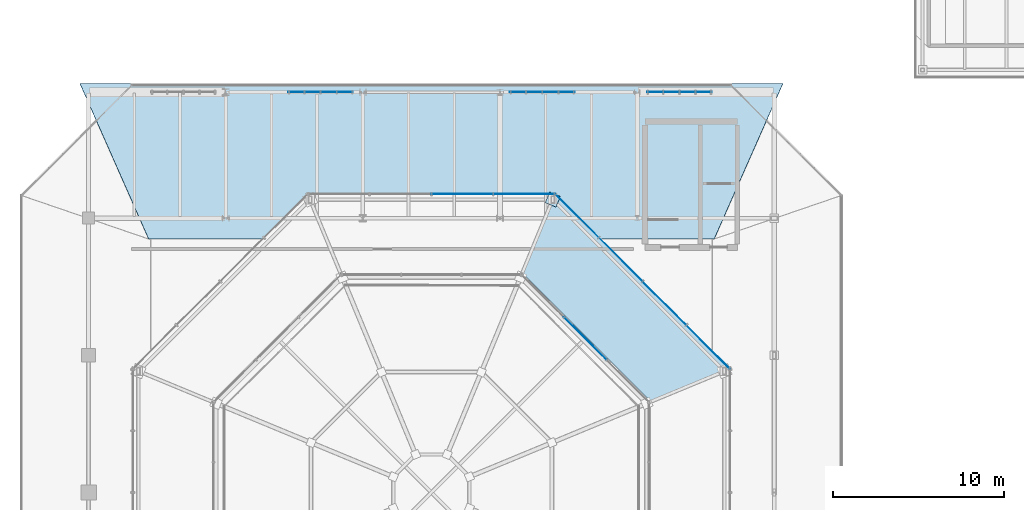
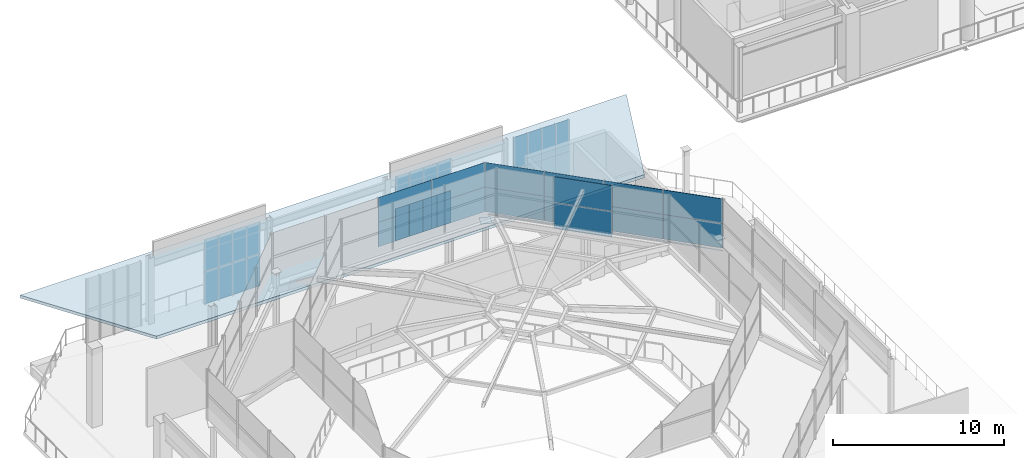
# One storey, part 22 of 30: 40 plates, 1 slab, 6 elements without a shape of their own.
"""IFC4 building model written with IfcOpenShell, lengths in metres."""

from ifc_helpers import new_model, si_unit, direction, frame, origin, origin_2d, place, context, subcontext, project, spatial, polyline, rectangle, outline, extrude, material, layer, layer_set, type_object, element, aggregate, save


model = new_model("IFC4")

# Units and contexts
model_context = context("Model", 3, precision=1e-05, world=origin(), true_north=direction((0.0, 1.0)))
body_context = subcontext(model_context, "Body", "Model", "MODEL_VIEW")
ifc_project = project(units=[si_unit("LENGTHUNIT", "METRE"), si_unit("AREAUNIT", "SQUARE_METRE"), si_unit("VOLUMEUNIT", "CUBIC_METRE"), si_unit("PLANEANGLEUNIT", "RADIAN"), si_unit("MASSUNIT", "GRAM", prefix="KILO")], contexts=[model_context])

# Site, building, storey
site_placement = place(None, origin())
site = spatial("IfcSite", under=ifc_project, at=site_placement, CompositionType="ELEMENT")
building_placement = place(site_placement, origin())
building = spatial("IfcBuilding", under=site, at=building_placement, Name="Brisemont Oceanarium", CompositionType="ELEMENT")
storey_placement = place(building_placement, frame((0.0, 0.0, 19.800048828125)))
storey = spatial("IfcBuildingStorey", under=building, at=storey_placement, Name="L04", CompositionType="ELEMENT", Elevation=19.800048828125)

# Curtain wall, plates
ifc_material_1 = material(Name="Anodized Extruded Aluminum 6063-T6", Category="aluminium")
curtain_wall_type_1 = type_object("IfcCurtainWallType", Name="CW-CLR-48X34", PredefinedType="NOTDEFINED", material=ifc_material_1)
curtain_wall_1_placement = place(storey_placement, origin())
curtain_wall_1 = element("IfcCurtainWall", 1, at=curtain_wall_1_placement, inside=storey, type_object=curtain_wall_type_1, Name="CW-22 curtain wall CW-DOME-UP-1", PredefinedType="NOTDEFINED")
ifc_material_2 = material(Name="Ceramic-Fritted Spandrel Glass", Category="glass")
ifc_layer_1 = layer(ifc_material_2, 0.030029296875)
ifc_layer_set_1 = layer_set([ifc_layer_1], Name="Ceramic-Fritted Spandrel Glass")
plate_type_1 = type_object("IfcPlateType", Name="PLT-CWP-S4", PredefinedType="CURTAIN_PANEL", material=ifc_layer_set_1)
plate_1_placement = place(storey_placement, frame((92.982666015625, 64.982666015625, 7.75146484375), z_axis=(0.0, 0.0, 1.0), x_axis=(-0.707106781187, 0.707106781187, 0.0)))
plate_1 = element("IfcPlate", 2, at=plate_1_placement, type_object=plate_type_1, Name="CW-DOME-UP-1 panel 2.1", PredefinedType="CURTAIN_PANEL", context=body_context, shape_type="SweptSolid", body=[
    extrude(rectangle(XDim=3.5048828125, YDim=0.030029296875, at=origin_2d()), origin(), (0.0, 0.0, 1.0), 1.846923828125),
])
plate_2_placement = place(storey_placement, frame((92.982666015625, 64.982666015625, 9.6015625), z_axis=(0.0, 0.0, 1.0), x_axis=(-0.707106781187, 0.707106781187, 0.0)))
plate_2 = element("IfcPlate", 3, at=plate_2_placement, type_object=plate_type_1, Name="CW-DOME-UP-1 panel 2.2", PredefinedType="CURTAIN_PANEL", context=body_context, shape_type="SweptSolid", body=[
    extrude(rectangle(XDim=3.5048828125, YDim=0.030029296875, at=origin_2d()), origin(), (0.0, 0.0, 1.0), 1.846923828125),
])
aggregate(curtain_wall_1, [plate_1, plate_2])

ifc_material_3 = material(Name="Anodized Extruded Aluminum 6063-T6", Category="aluminium")
curtain_wall_type_2 = type_object("IfcCurtainWallType", Name="CW-ROT-69X44", PredefinedType="NOTDEFINED", material=ifc_material_3)
curtain_wall_2_placement = place(storey_placement, origin())
curtain_wall_2 = element("IfcCurtainWall", 4, at=curtain_wall_2_placement, inside=storey, type_object=curtain_wall_type_2, Name="CW-03 curtain wall CW-V1-N-L04-02", PredefinedType="NOTDEFINED")
ifc_material_4 = material(Name="Insulated Low-E Laminated Glass", Category="glass")
ifc_layer_2 = layer(ifc_material_4, 0.028076171875)
ifc_layer_set_2 = layer_set([ifc_layer_2], Name="Insulated Low-E Laminated Glass")
plate_type_2 = type_object("IfcPlateType", Name="PLT-CWP-V3", PredefinedType="CURTAIN_PANEL", material=ifc_layer_set_2)
plate_3_placement = place(storey_placement, frame((76.121337890625, 79.35009765625, 0.00146484375), z_axis=(0.0, 0.0, 1.0), x_axis=(1.0, 0.0, 0.0)))
plate_3 = element("IfcPlate", 5, at=plate_3_placement, type_object=plate_type_2, Name="CW-V1-N-L04-02 panel 1.1", PredefinedType="CURTAIN_PANEL", context=body_context, shape_type="SweptSolid", body=[
    extrude(rectangle(XDim=0.939453125, YDim=0.028076171875, at=origin_2d()), origin(), (0.0, 0.0, 1.0), 2.297119140625),
])
plate_4_placement = place(storey_placement, frame((76.121337890625, 79.35009765625, 2.30126953125), z_axis=(0.0, 0.0, 1.0), x_axis=(1.0, 0.0, 0.0)))
plate_4 = element("IfcPlate", 6, at=plate_4_placement, type_object=plate_type_2, Name="CW-V1-N-L04-02 panel 1.2", PredefinedType="CURTAIN_PANEL", context=body_context, shape_type="SweptSolid", body=[
    extrude(rectangle(XDim=0.939453125, YDim=0.028076171875, at=origin_2d()), origin(), (0.0, 0.0, 1.0), 2.297119140625),
])
plate_5_placement = place(storey_placement, frame((77.063720703125, 79.35009765625, 0.00146484375), z_axis=(0.0, 0.0, 1.0), x_axis=(1.0, 0.0, 0.0)))
plate_5 = element("IfcPlate", 7, at=plate_5_placement, type_object=plate_type_2, Name="CW-V1-N-L04-02 panel 2.1", PredefinedType="CURTAIN_PANEL", context=body_context, shape_type="SweptSolid", body=[
    extrude(rectangle(XDim=0.939453125, YDim=0.028076171875, at=origin_2d()), origin(), (0.0, 0.0, 1.0), 2.297119140625),
])
plate_6_placement = place(storey_placement, frame((77.063720703125, 79.35009765625, 2.30126953125), z_axis=(0.0, 0.0, 1.0), x_axis=(1.0, 0.0, 0.0)))
plate_6 = element("IfcPlate", 8, at=plate_6_placement, type_object=plate_type_2, Name="CW-V1-N-L04-02 panel 2.2", PredefinedType="CURTAIN_PANEL", context=body_context, shape_type="SweptSolid", body=[
    extrude(rectangle(XDim=0.939453125, YDim=0.028076171875, at=origin_2d()), origin(), (0.0, 0.0, 1.0), 2.297119140625),
])
plate_7_placement = place(storey_placement, frame((78.00634765625, 79.35009765625, 0.00146484375), z_axis=(0.0, 0.0, 1.0), x_axis=(1.0, 0.0, 0.0)))
plate_7 = element("IfcPlate", 9, at=plate_7_placement, type_object=plate_type_2, Name="CW-V1-N-L04-02 panel 3.1", PredefinedType="CURTAIN_PANEL", context=body_context, shape_type="SweptSolid", body=[
    extrude(rectangle(XDim=0.939453125, YDim=0.028076171875, at=origin_2d()), origin(), (0.0, 0.0, 1.0), 2.297119140625),
])
plate_8_placement = place(storey_placement, frame((78.00634765625, 79.35009765625, 2.30126953125), z_axis=(0.0, 0.0, 1.0), x_axis=(1.0, 0.0, 0.0)))
plate_8 = element("IfcPlate", 10, at=plate_8_placement, type_object=plate_type_2, Name="CW-V1-N-L04-02 panel 3.2", PredefinedType="CURTAIN_PANEL", context=body_context, shape_type="SweptSolid", body=[
    extrude(rectangle(XDim=0.939453125, YDim=0.028076171875, at=origin_2d()), origin(), (0.0, 0.0, 1.0), 2.297119140625),
])
plate_9_placement = place(storey_placement, frame((78.94873046875, 79.35009765625, 0.00146484375), z_axis=(0.0, 0.0, 1.0), x_axis=(1.0, 0.0, 0.0)))
plate_9 = element("IfcPlate", 11, at=plate_9_placement, type_object=plate_type_2, Name="CW-V1-N-L04-02 panel 4.1", PredefinedType="CURTAIN_PANEL", context=body_context, shape_type="SweptSolid", body=[
    extrude(rectangle(XDim=0.939453125, YDim=0.028076171875, at=origin_2d()), origin(), (0.0, 0.0, 1.0), 2.297119140625),
])
plate_10_placement = place(storey_placement, frame((78.94873046875, 79.35009765625, 2.30126953125), z_axis=(0.0, 0.0, 1.0), x_axis=(1.0, 0.0, 0.0)))
plate_10 = element("IfcPlate", 12, at=plate_10_placement, type_object=plate_type_2, Name="CW-V1-N-L04-02 panel 4.2", PredefinedType="CURTAIN_PANEL", context=body_context, shape_type="SweptSolid", body=[
    extrude(rectangle(XDim=0.939453125, YDim=0.028076171875, at=origin_2d()), origin(), (0.0, 0.0, 1.0), 2.297119140625),
])
aggregate(curtain_wall_2, [plate_3, plate_4, plate_5, plate_6, plate_7, plate_8, plate_9, plate_10])

curtain_wall_3_placement = place(storey_placement, origin())
curtain_wall_3 = element("IfcCurtainWall", 13, at=curtain_wall_3_placement, inside=storey, type_object=curtain_wall_type_2, Name="CW-03 curtain wall CW-V1-N-L04-03", PredefinedType="NOTDEFINED")
plate_11_placement = place(storey_placement, frame((89.05126953125, 79.35009765625, 0.00146484375), z_axis=(0.0, 0.0, 1.0), x_axis=(1.0, 0.0, 0.0)))
plate_11 = element("IfcPlate", 14, at=plate_11_placement, type_object=plate_type_2, Name="CW-V1-N-L04-03 panel 1.1", PredefinedType="CURTAIN_PANEL", context=body_context, shape_type="SweptSolid", body=[
    extrude(rectangle(XDim=0.939453125, YDim=0.028076171875, at=origin_2d()), origin(), (0.0, 0.0, 1.0), 2.297119140625),
])
plate_12_placement = place(storey_placement, frame((89.05126953125, 79.35009765625, 2.30126953125), z_axis=(0.0, 0.0, 1.0), x_axis=(1.0, 0.0, 0.0)))
plate_12 = element("IfcPlate", 15, at=plate_12_placement, type_object=plate_type_2, Name="CW-V1-N-L04-03 panel 1.2", PredefinedType="CURTAIN_PANEL", context=body_context, shape_type="SweptSolid", body=[
    extrude(rectangle(XDim=0.939453125, YDim=0.028076171875, at=origin_2d()), origin(), (0.0, 0.0, 1.0), 2.297119140625),
])
plate_13_placement = place(storey_placement, frame((89.99365234375, 79.35009765625, 0.00146484375), z_axis=(0.0, 0.0, 1.0), x_axis=(1.0, 0.0, 0.0)))
plate_13 = element("IfcPlate", 16, at=plate_13_placement, type_object=plate_type_2, Name="CW-V1-N-L04-03 panel 2.1", PredefinedType="CURTAIN_PANEL", context=body_context, shape_type="SweptSolid", body=[
    extrude(rectangle(XDim=0.939453125, YDim=0.028076171875, at=origin_2d()), origin(), (0.0, 0.0, 1.0), 2.297119140625),
])
plate_14_placement = place(storey_placement, frame((89.99365234375, 79.35009765625, 2.30126953125), z_axis=(0.0, 0.0, 1.0), x_axis=(1.0, 0.0, 0.0)))
plate_14 = element("IfcPlate", 17, at=plate_14_placement, type_object=plate_type_2, Name="CW-V1-N-L04-03 panel 2.2", PredefinedType="CURTAIN_PANEL", context=body_context, shape_type="SweptSolid", body=[
    extrude(rectangle(XDim=0.939453125, YDim=0.028076171875, at=origin_2d()), origin(), (0.0, 0.0, 1.0), 2.297119140625),
])
plate_15_placement = place(storey_placement, frame((90.936279296875, 79.35009765625, 0.00146484375), z_axis=(0.0, 0.0, 1.0), x_axis=(1.0, 0.0, 0.0)))
plate_15 = element("IfcPlate", 18, at=plate_15_placement, type_object=plate_type_2, Name="CW-V1-N-L04-03 panel 3.1", PredefinedType="CURTAIN_PANEL", context=body_context, shape_type="SweptSolid", body=[
    extrude(rectangle(XDim=0.939453125, YDim=0.028076171875, at=origin_2d()), origin(), (0.0, 0.0, 1.0), 2.297119140625),
])
plate_16_placement = place(storey_placement, frame((90.936279296875, 79.35009765625, 2.30126953125), z_axis=(0.0, 0.0, 1.0), x_axis=(1.0, 0.0, 0.0)))
plate_16 = element("IfcPlate", 19, at=plate_16_placement, type_object=plate_type_2, Name="CW-V1-N-L04-03 panel 3.2", PredefinedType="CURTAIN_PANEL", context=body_context, shape_type="SweptSolid", body=[
    extrude(rectangle(XDim=0.939453125, YDim=0.028076171875, at=origin_2d()), origin(), (0.0, 0.0, 1.0), 2.297119140625),
])
plate_17_placement = place(storey_placement, frame((91.878662109375, 79.35009765625, 0.00146484375), z_axis=(0.0, 0.0, 1.0), x_axis=(1.0, 0.0, 0.0)))
plate_17 = element("IfcPlate", 20, at=plate_17_placement, type_object=plate_type_2, Name="CW-V1-N-L04-03 panel 4.1", PredefinedType="CURTAIN_PANEL", context=body_context, shape_type="SweptSolid", body=[
    extrude(rectangle(XDim=0.939453125, YDim=0.028076171875, at=origin_2d()), origin(), (0.0, 0.0, 1.0), 2.297119140625),
])
plate_18_placement = place(storey_placement, frame((91.878662109375, 79.35009765625, 2.30126953125), z_axis=(0.0, 0.0, 1.0), x_axis=(1.0, 0.0, 0.0)))
plate_18 = element("IfcPlate", 21, at=plate_18_placement, type_object=plate_type_2, Name="CW-V1-N-L04-03 panel 4.2", PredefinedType="CURTAIN_PANEL", context=body_context, shape_type="SweptSolid", body=[
    extrude(rectangle(XDim=0.939453125, YDim=0.028076171875, at=origin_2d()), origin(), (0.0, 0.0, 1.0), 2.297119140625),
])
aggregate(curtain_wall_3, [plate_11, plate_12, plate_13, plate_14, plate_15, plate_16, plate_17, plate_18])

curtain_wall_4_placement = place(storey_placement, origin())
curtain_wall_4 = element("IfcCurtainWall", 22, at=curtain_wall_4_placement, inside=storey, type_object=curtain_wall_type_2, Name="CW-03 curtain wall CW-V1-N-L04-04", PredefinedType="NOTDEFINED")
plate_19_placement = place(storey_placement, frame((97.05126953125, 79.35009765625, 0.00146484375), z_axis=(0.0, 0.0, 1.0), x_axis=(1.0, 0.0, 0.0)))
plate_19 = element("IfcPlate", 23, at=plate_19_placement, type_object=plate_type_2, Name="CW-V1-N-L04-04 panel 1.1", PredefinedType="CURTAIN_PANEL", context=body_context, shape_type="SweptSolid", body=[
    extrude(rectangle(XDim=0.939453125, YDim=0.028076171875, at=origin_2d()), origin(), (0.0, 0.0, 1.0), 2.297119140625),
])
plate_20_placement = place(storey_placement, frame((97.05126953125, 79.35009765625, 2.30126953125), z_axis=(0.0, 0.0, 1.0), x_axis=(1.0, 0.0, 0.0)))
plate_20 = element("IfcPlate", 24, at=plate_20_placement, type_object=plate_type_2, Name="CW-V1-N-L04-04 panel 1.2", PredefinedType="CURTAIN_PANEL", context=body_context, shape_type="SweptSolid", body=[
    extrude(rectangle(XDim=0.939453125, YDim=0.028076171875, at=origin_2d()), origin(), (0.0, 0.0, 1.0), 2.297119140625),
])
plate_21_placement = place(storey_placement, frame((97.99365234375, 79.35009765625, 0.00146484375), z_axis=(0.0, 0.0, 1.0), x_axis=(1.0, 0.0, 0.0)))
plate_21 = element("IfcPlate", 25, at=plate_21_placement, type_object=plate_type_2, Name="CW-V1-N-L04-04 panel 2.1", PredefinedType="CURTAIN_PANEL", context=body_context, shape_type="SweptSolid", body=[
    extrude(rectangle(XDim=0.939453125, YDim=0.028076171875, at=origin_2d()), origin(), (0.0, 0.0, 1.0), 2.297119140625),
])
plate_22_placement = place(storey_placement, frame((97.99365234375, 79.35009765625, 2.30126953125), z_axis=(0.0, 0.0, 1.0), x_axis=(1.0, 0.0, 0.0)))
plate_22 = element("IfcPlate", 26, at=plate_22_placement, type_object=plate_type_2, Name="CW-V1-N-L04-04 panel 2.2", PredefinedType="CURTAIN_PANEL", context=body_context, shape_type="SweptSolid", body=[
    extrude(rectangle(XDim=0.939453125, YDim=0.028076171875, at=origin_2d()), origin(), (0.0, 0.0, 1.0), 2.297119140625),
])
plate_23_placement = place(storey_placement, frame((98.936279296875, 79.35009765625, 0.00146484375), z_axis=(0.0, 0.0, 1.0), x_axis=(1.0, 0.0, 0.0)))
plate_23 = element("IfcPlate", 27, at=plate_23_placement, type_object=plate_type_2, Name="CW-V1-N-L04-04 panel 3.1", PredefinedType="CURTAIN_PANEL", context=body_context, shape_type="SweptSolid", body=[
    extrude(rectangle(XDim=0.939453125, YDim=0.028076171875, at=origin_2d()), origin(), (0.0, 0.0, 1.0), 2.297119140625),
])
plate_24_placement = place(storey_placement, frame((98.936279296875, 79.35009765625, 2.30126953125), z_axis=(0.0, 0.0, 1.0), x_axis=(1.0, 0.0, 0.0)))
plate_24 = element("IfcPlate", 28, at=plate_24_placement, type_object=plate_type_2, Name="CW-V1-N-L04-04 panel 3.2", PredefinedType="CURTAIN_PANEL", context=body_context, shape_type="SweptSolid", body=[
    extrude(rectangle(XDim=0.939453125, YDim=0.028076171875, at=origin_2d()), origin(), (0.0, 0.0, 1.0), 2.297119140625),
])
plate_25_placement = place(storey_placement, frame((99.878662109375, 79.35009765625, 0.00146484375), z_axis=(0.0, 0.0, 1.0), x_axis=(1.0, 0.0, 0.0)))
plate_25 = element("IfcPlate", 29, at=plate_25_placement, type_object=plate_type_2, Name="CW-V1-N-L04-04 panel 4.1", PredefinedType="CURTAIN_PANEL", context=body_context, shape_type="SweptSolid", body=[
    extrude(rectangle(XDim=0.939453125, YDim=0.028076171875, at=origin_2d()), origin(), (0.0, 0.0, 1.0), 2.297119140625),
])
plate_26_placement = place(storey_placement, frame((99.878662109375, 79.35009765625, 2.30126953125), z_axis=(0.0, 0.0, 1.0), x_axis=(1.0, 0.0, 0.0)))
plate_26 = element("IfcPlate", 30, at=plate_26_placement, type_object=plate_type_2, Name="CW-V1-N-L04-04 panel 4.2", PredefinedType="CURTAIN_PANEL", context=body_context, shape_type="SweptSolid", body=[
    extrude(rectangle(XDim=0.939453125, YDim=0.028076171875, at=origin_2d()), origin(), (0.0, 0.0, 1.0), 2.297119140625),
])
aggregate(curtain_wall_4, [plate_19, plate_20, plate_21, plate_22, plate_23, plate_24, plate_25, plate_26])

curtain_wall_5_placement = place(storey_placement, origin())
curtain_wall_5 = element("IfcCurtainWall", 31, at=curtain_wall_5_placement, inside=storey, type_object=curtain_wall_type_2, Name="CW-03 curtain wall CW-DOME-DRUM-1", PredefinedType="NOTDEFINED")
plate_27_placement = place(storey_placement, frame((100.139892578125, 64.48876953125, 4.78125), z_axis=(0.0, 0.0, 1.0), x_axis=(-0.707106781187, 0.707106781187, 0.0)))
plate_27 = element("IfcPlate", 32, at=plate_27_placement, type_object=plate_type_2, Name="CW-DOME-DRUM-1 panel 1.1", PredefinedType="CURTAIN_PANEL", context=body_context, shape_type="SweptSolid", body=[
    extrude(rectangle(XDim=3.603759765625, YDim=0.028076171875, at=origin_2d()), origin(), (0.0, 0.0, 1.0), 1.757080078125),
])
plate_28_placement = place(storey_placement, frame((100.139892578125, 64.48876953125, 6.54150390625), z_axis=(0.0, 0.0, 1.0), x_axis=(-0.707106781187, 0.707106781187, 0.0)))
plate_28 = element("IfcPlate", 33, at=plate_28_placement, type_object=plate_type_2, Name="CW-DOME-DRUM-1 panel 1.2", PredefinedType="CURTAIN_PANEL", context=body_context, shape_type="SweptSolid", body=[
    extrude(rectangle(XDim=3.603759765625, YDim=0.028076171875, at=origin_2d()), origin(), (0.0, 0.0, 1.0), 1.757080078125),
])
plate_29_placement = place(storey_placement, frame((97.589599609375, 67.039306640625, 4.78125), z_axis=(0.0, 0.0, 1.0), x_axis=(-0.707106781187, 0.707106781187, 0.0)))
plate_29 = element("IfcPlate", 34, at=plate_29_placement, type_object=plate_type_2, Name="CW-DOME-DRUM-1 panel 2.1", PredefinedType="CURTAIN_PANEL", context=body_context, shape_type="SweptSolid", body=[
    extrude(rectangle(XDim=3.603759765625, YDim=0.028076171875, at=origin_2d()), origin(), (0.0, 0.0, 1.0), 1.757080078125),
])
plate_30_placement = place(storey_placement, frame((97.589599609375, 67.039306640625, 6.54150390625), z_axis=(0.0, 0.0, 1.0), x_axis=(-0.707106781187, 0.707106781187, 0.0)))
plate_30 = element("IfcPlate", 35, at=plate_30_placement, type_object=plate_type_2, Name="CW-DOME-DRUM-1 panel 2.2", PredefinedType="CURTAIN_PANEL", context=body_context, shape_type="SweptSolid", body=[
    extrude(rectangle(XDim=3.603759765625, YDim=0.028076171875, at=origin_2d()), origin(), (0.0, 0.0, 1.0), 1.757080078125),
])
plate_31_placement = place(storey_placement, frame((95.039306640625, 69.589599609375, 4.78125), z_axis=(0.0, 0.0, 1.0), x_axis=(-0.707106781187, 0.707106781187, 0.0)))
plate_31 = element("IfcPlate", 36, at=plate_31_placement, type_object=plate_type_2, Name="CW-DOME-DRUM-1 panel 3.1", PredefinedType="CURTAIN_PANEL", context=body_context, shape_type="SweptSolid", body=[
    extrude(rectangle(XDim=3.603759765625, YDim=0.028076171875, at=origin_2d()), origin(), (0.0, 0.0, 1.0), 1.757080078125),
])
plate_32_placement = place(storey_placement, frame((95.039306640625, 69.589599609375, 6.54150390625), z_axis=(0.0, 0.0, 1.0), x_axis=(-0.707106781187, 0.707106781187, 0.0)))
plate_32 = element("IfcPlate", 37, at=plate_32_placement, type_object=plate_type_2, Name="CW-DOME-DRUM-1 panel 3.2", PredefinedType="CURTAIN_PANEL", context=body_context, shape_type="SweptSolid", body=[
    extrude(rectangle(XDim=3.603759765625, YDim=0.028076171875, at=origin_2d()), origin(), (0.0, 0.0, 1.0), 1.757080078125),
])
plate_33_placement = place(storey_placement, frame((92.48876953125, 72.139892578125, 4.78125), z_axis=(0.0, 0.0, 1.0), x_axis=(-0.707106781187, 0.707106781187, 0.0)))
plate_33 = element("IfcPlate", 38, at=plate_33_placement, type_object=plate_type_2, Name="CW-DOME-DRUM-1 panel 4.1", PredefinedType="CURTAIN_PANEL", context=body_context, shape_type="SweptSolid", body=[
    extrude(rectangle(XDim=3.603759765625, YDim=0.028076171875, at=origin_2d()), origin(), (0.0, 0.0, 1.0), 1.757080078125),
])
plate_34_placement = place(storey_placement, frame((92.48876953125, 72.139892578125, 6.54150390625), z_axis=(0.0, 0.0, 1.0), x_axis=(-0.707106781187, 0.707106781187, 0.0)))
plate_34 = element("IfcPlate", 39, at=plate_34_placement, type_object=plate_type_2, Name="CW-DOME-DRUM-1 panel 4.2", PredefinedType="CURTAIN_PANEL", context=body_context, shape_type="SweptSolid", body=[
    extrude(rectangle(XDim=3.603759765625, YDim=0.028076171875, at=origin_2d()), origin(), (0.0, 0.0, 1.0), 1.757080078125),
])
aggregate(curtain_wall_5, [plate_27, plate_28, plate_29, plate_30, plate_31, plate_32, plate_33, plate_34])

curtain_wall_6_placement = place(storey_placement, origin())
curtain_wall_6 = element("IfcCurtainWall", 40, at=curtain_wall_6_placement, inside=storey, type_object=curtain_wall_type_2, Name="CW-03 curtain wall CW-DOME-DRUM-2", PredefinedType="NOTDEFINED")
plate_35_placement = place(storey_placement, frame((89.41015625, 73.4150390625, 4.78125), z_axis=(0.0, 0.0, 1.0), x_axis=(-1.0, 0.0, 0.0)))
plate_35 = element("IfcPlate", 41, at=plate_35_placement, type_object=plate_type_2, Name="CW-DOME-DRUM-2 panel 1.1", PredefinedType="CURTAIN_PANEL", context=body_context, shape_type="SweptSolid", body=[
    extrude(rectangle(XDim=3.603759765625, YDim=0.028076171875, at=origin_2d()), origin(), (0.0, 0.0, 1.0), 1.757080078125),
])
plate_36_placement = place(storey_placement, frame((89.41015625, 73.4150390625, 6.54150390625), z_axis=(0.0, 0.0, 1.0), x_axis=(-1.0, 0.0, 0.0)))
plate_36 = element("IfcPlate", 42, at=plate_36_placement, type_object=plate_type_2, Name="CW-DOME-DRUM-2 panel 1.2", PredefinedType="CURTAIN_PANEL", context=body_context, shape_type="SweptSolid", body=[
    extrude(rectangle(XDim=3.603759765625, YDim=0.028076171875, at=origin_2d()), origin(), (0.0, 0.0, 1.0), 1.757080078125),
])
plate_37_placement = place(storey_placement, frame((85.803466796875, 73.4150390625, 4.78125), z_axis=(0.0, 0.0, 1.0), x_axis=(-1.0, 0.0, 0.0)))
plate_37 = element("IfcPlate", 43, at=plate_37_placement, type_object=plate_type_2, Name="CW-DOME-DRUM-2 panel 2.1", PredefinedType="CURTAIN_PANEL", context=body_context, shape_type="SweptSolid", body=[
    extrude(rectangle(XDim=3.603759765625, YDim=0.028076171875, at=origin_2d()), origin(), (0.0, 0.0, 1.0), 1.757080078125),
])
plate_38_placement = place(storey_placement, frame((85.803466796875, 73.4150390625, 6.54150390625), z_axis=(0.0, 0.0, 1.0), x_axis=(-1.0, 0.0, 0.0)))
plate_38 = element("IfcPlate", 44, at=plate_38_placement, type_object=plate_type_2, Name="CW-DOME-DRUM-2 panel 2.2", PredefinedType="CURTAIN_PANEL", context=body_context, shape_type="SweptSolid", body=[
    extrude(rectangle(XDim=3.603759765625, YDim=0.028076171875, at=origin_2d()), origin(), (0.0, 0.0, 1.0), 1.757080078125),
])
aggregate(curtain_wall_6, [plate_35, plate_36, plate_37, plate_38])

# Plates
ifc_material_5 = material(Name="Insulated Low-E Laminated Glass", Category="glass")
ifc_layer_3 = layer(ifc_material_5, 0.035888671875)
ifc_layer_set_3 = layer_set([ifc_layer_3], Name="Insulated Low-E Laminated Glass")
plate_type_3 = type_object("IfcPlateType", Name="PLT-DOME-GL1", PredefinedType="USERDEFINED", material=ifc_layer_set_3)
plate_39_placement = place(storey_placement, frame((101.3994140625, 63.20703125, 4.619873046875), z_axis=(0.421406280375, 0.421406280375, 0.803015251239), x_axis=(-0.707106781187, 0.707106781187, 0.0)))
element("IfcPlate", 45, at=plate_39_placement, inside=storey, type_object=plate_type_3, Name="V1 dome laminated skylight facet 1.1", ObjectType="SKYLIGHT_PANEL", PredefinedType="USERDEFINED", context=body_context, shape_type="SweptSolid", body=[
    extrude(outline(polyline([(0.0, 0.0), (14.414206006335931, 0.0), (12.505397490813555, 5.738933411913823), (1.9088085155223768, 5.738933411913824), (0.0, 0.0)])), origin(), (0.0, 0.0, -1.0), 0.035888671875),
])
ifc_material_6 = material(Name="Structural Steel ASTM A572 Gr.50", Category="steel")
ifc_layer_4 = layer(ifc_material_6, 0.031982421875)
ifc_layer_set_4 = layer_set([ifc_layer_4], Name="Structural Steel ASTM A572 Gr.50")
plate_type_4 = type_object("IfcPlateType", Name="PLT-NODE-DN1", PredefinedType="SHEET", material=ifc_layer_set_4)
plate_40_placement = place(storey_placement, frame((91.07958984375, 73.091796875, 4.36376953125), z_axis=(0.0, 0.0, 1.0), x_axis=(0.382683432365, 0.923879532511, 0.0)))
element("IfcPlate", 46, at=plate_40_placement, inside=storey, type_object=plate_type_4, Name="V1 dome structural node plate DN-01", PredefinedType="SHEET", context=body_context, shape_type="SweptSolid", body=[
    extrude(rectangle(XDim=0.679931640625, YDim=0.679931640625, at=origin_2d()), origin(), (0.0, 0.0, 1.0), 0.031982421875),
])

# Slab
ifc_material_7 = material(Name="Concrete C35/45", Category="concrete")
ifc_layer_5 = layer(ifc_material_7, 0.199951171875)
ifc_layer_set_5 = layer_set([ifc_layer_5], Name="Concrete C35/45")
slab_type = type_object("IfcSlabType", Name="SLB-RF-200", PredefinedType="ROOF", material=ifc_layer_set_5)
slab_placement = place(storey_placement, frame((67.5, 70.800048828125, 5.75), z_axis=(0.0, 0.126073285067, 0.992020930622), x_axis=(1.0, 0.0, 0.0)))
element("IfcSlab", 47, at=slab_placement, inside=storey, type_object=slab_type, Name="V1 drum mansard pitched roof N slope", PredefinedType="ROOF", context=body_context, shape_type="SweptSolid", body=[
    extrude(outline(polyline([(0.0, 0.0), (33.0, 0.0), (37.0, 9.12284060624578), (-4.0, 9.12284060624578), (0.0, 0.0)])), origin(), (0.0, 0.0, -1.0), 0.199951171875),
])

save(model, "model.ifc")
